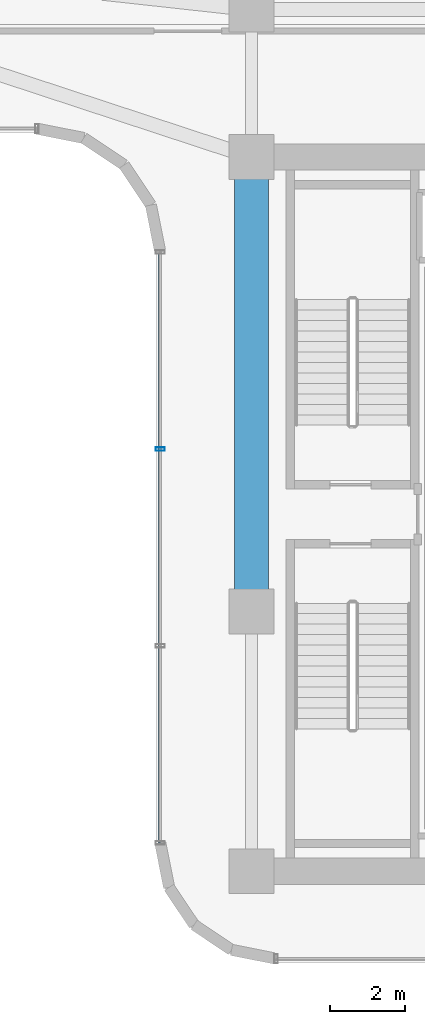
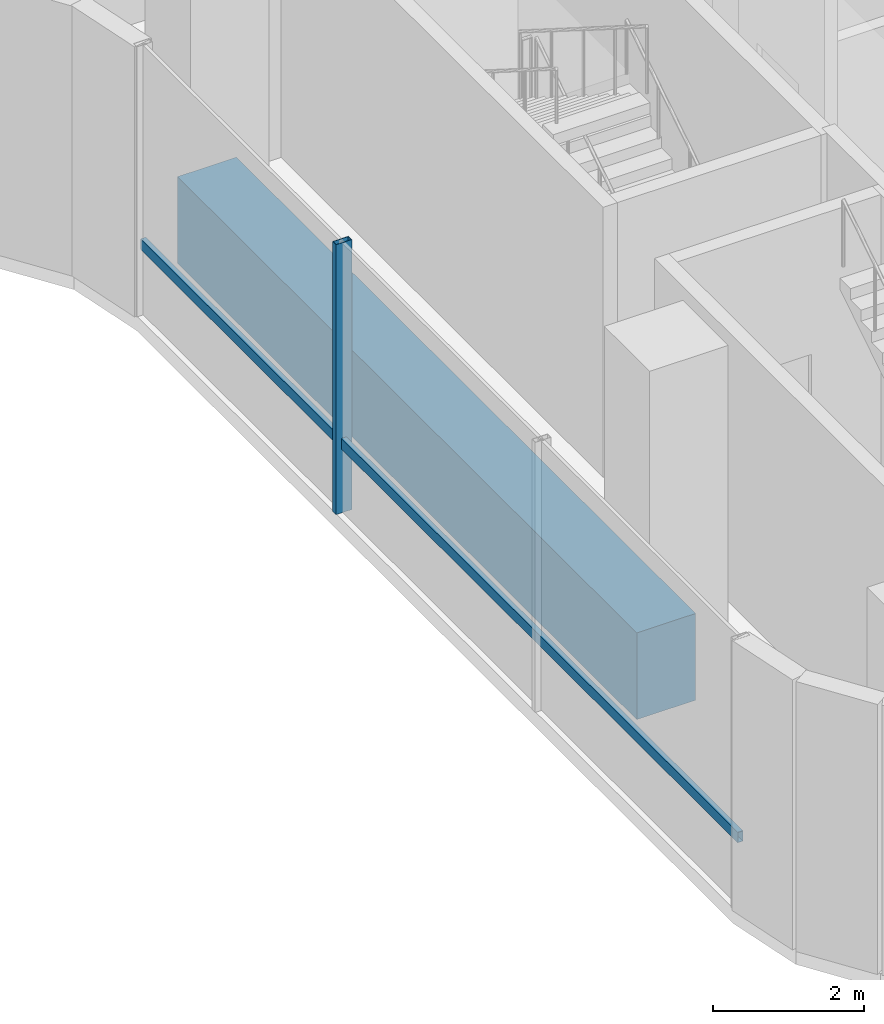
# One storey, part 12 of 32: 2 members, 1 beam, 1 element without a shape of its own.
"""IFC4 building model written with IfcOpenShell, lengths in metres."""

import ifcopenshell
import ifcopenshell.guid

model = None  # the IFC model being written
_history = None  # IfcOwnerHistory: only IFC2X3 demands one
_inside = {}  # id of a spatial element -> (the spatial element, [elements in it])
_under = {}  # id of a project, library or spatial element -> (it, [spatial elements below it])
_declared = {}  # id of a project -> (the project, [libraries it declares])
_typed = {}  # id of a type object -> (the type object, [elements of that type])
_made_of = {}  # id of a material, layer set ... -> (it, [elements and type objects made of it])


def new_model(schema):
    """Start an empty IFC model of exactly this schema.

    Asked for "IFC4X3", IfcOpenShell would pick the latest addendum, in which some entities
    have other attributes; the version numbers below select the first issue.
    IFC2X3 requires an IfcOwnerHistory on every rooted entity: one is made here for all.
    """
    global model, _history
    if schema == "IFC4X3":
        model = ifcopenshell.file(schema_version=(4, 3, 0, 0))
    else:
        model = ifcopenshell.file(schema=schema)
    _inside.clear()
    _under.clear()
    _declared.clear()
    _typed.clear()
    _made_of.clear()
    _history = None
    if model.schema == "IFC2X3":
        org = make("IfcOrganization", Name="unknown")
        user = make(
            "IfcPersonAndOrganization",
            ThePerson=make("IfcPerson", FamilyName="unknown"),
            TheOrganization=org,
        )
        app = make(
            "IfcApplication",
            ApplicationDeveloper=org,
            Version="unknown",
            ApplicationFullName="unknown",
            ApplicationIdentifier="unknown",
        )
        _history = make(
            "IfcOwnerHistory",
            OwningUser=user,
            OwningApplication=app,
            ChangeAction="ADDED",
            CreationDate=0,
        )
    return model


def make(cls, **values):
    """One entity of the class cls with the attributes given. An attribute that is None is left unset."""
    return model.create_entity(
        cls, **{name: value for name, value in values.items() if value is not None}
    )


def rooted(cls, **values):
    """An entity with a GlobalId (a new one), such as an element, a storey or a relation."""
    return make(cls, GlobalId=ifcopenshell.guid.new(), OwnerHistory=_history, **values)


def si_unit(unit_type, name, prefix=None):
    """IfcSIUnit, for example si_unit("LENGTHUNIT", "METRE", prefix="MILLI")."""
    return make("IfcSIUnit", UnitType=unit_type, Prefix=prefix, Name=name)


def assignment(units):
    """IfcUnitAssignment: the units of a project."""
    return None if units is None else make("IfcUnitAssignment", Units=units)


def point(xyz):
    """IfcCartesianPoint."""
    return None if xyz is None else make("IfcCartesianPoint", Coordinates=xyz)


def direction(xyz):
    """IfcDirection."""
    return None if xyz is None else make("IfcDirection", DirectionRatios=xyz)


def frame(location, z_axis=None, x_axis=None):
    """IfcAxis2Placement3D, a coordinate frame: its origin and axes. An axis left out is left unset."""
    return make(
        "IfcAxis2Placement3D",
        Location=point(location),
        Axis=direction(z_axis),
        RefDirection=direction(x_axis),
    )


def frame_2d(location, x_axis=None):
    """IfcAxis2Placement2D, a coordinate frame in the plane: its origin and x axis."""
    return make(
        "IfcAxis2Placement2D", Location=point(location), RefDirection=direction(x_axis)
    )


def origin():
    """The frame at (0, 0, 0) with its axes left unset."""
    return frame((0.0, 0.0, 0.0))


def origin_2d():
    """The frame at (0, 0) in the plane with its x axis left unset."""
    return frame_2d((0.0, 0.0))


def place(relative_to, where):
    """IfcLocalPlacement: puts the frame where relative to a parent placement (None: the world)."""
    return make(
        "IfcLocalPlacement", PlacementRelTo=relative_to, RelativePlacement=where
    )


def context(
    kind, dimensions, precision=None, world=None, true_north=None, identifier=None
):
    """IfcGeometricRepresentationContext, for example the 3D "Model" context."""
    return make(
        "IfcGeometricRepresentationContext",
        ContextIdentifier=identifier,
        ContextType=kind,
        CoordinateSpaceDimension=dimensions,
        Precision=precision,
        WorldCoordinateSystem=world,
        TrueNorth=true_north,
    )


def subcontext(parent, identifier, kind, view, scale=None):
    """IfcGeometricRepresentationSubContext, for example "Body" below "Model"."""
    return make(
        "IfcGeometricRepresentationSubContext",
        ContextIdentifier=identifier,
        ContextType=kind,
        ParentContext=parent,
        TargetScale=scale,
        TargetView=view,
    )


def project(units=None, contexts=None):
    """IfcProject with its units and contexts."""
    return rooted(
        "IfcProject",
        Name="project",
        RepresentationContexts=contexts,
        UnitsInContext=assignment(units),
    )


def spatial(cls, under=None, at=None, **own):
    """A site, building, storey or space (cls), placed at a placement, below another one or the project."""
    s = rooted(cls, ObjectPlacement=at, **own)
    if under is not None:
        _under.setdefault(under.id(), (under, []))[1].append(s)
    return s


def profile(cls, at=None, kind="AREA", **sizes):
    """A parametric profile (cls). Its sizes go by their IFC names, for example OverallWidth=200.0."""
    return make(cls, ProfileType=kind, Position=at, **sizes)


def rectangle(**sizes):
    """IfcRectangleProfileDef."""
    return profile("IfcRectangleProfileDef", **sizes)


def hollow_rectangle(**sizes):
    """IfcRectangleHollowProfileDef."""
    return profile("IfcRectangleHollowProfileDef", **sizes)


def extrude(swept, where, along, depth):
    """IfcExtrudedAreaSolid: the profile swept, set in the frame where, extruded along a direction by depth."""
    return make(
        "IfcExtrudedAreaSolid",
        SweptArea=swept,
        Position=where,
        ExtrudedDirection=direction(along),
        Depth=depth,
    )


def shape(context_of_items, identifier, shape_type, items):
    """IfcShapeRepresentation: the items that make up one representation, for example the "Body"."""
    return make(
        "IfcShapeRepresentation",
        ContextOfItems=context_of_items,
        RepresentationIdentifier=identifier,
        RepresentationType=shape_type,
        Items=items,
    )


def source(mapping_origin, context_of_items, identifier, shape_type, items):
    """IfcRepresentationMap: a shape defined once, which mapped items show again and again."""
    return make(
        "IfcRepresentationMap",
        MappingOrigin=mapping_origin,
        MappedRepresentation=shape(context_of_items, identifier, shape_type, items),
    )


def transform(
    local_origin,
    x_axis=None,
    y_axis=None,
    z_axis=None,
    scale=None,
    scale2=None,
    scale3=None,
    uniform=True,
):
    """IfcCartesianTransformationOperator3D, or its non-uniform kind. x_axis, y_axis, z_axis: its Axis1, 2, 3."""
    if uniform:
        return make(
            "IfcCartesianTransformationOperator3D",
            Axis1=direction(x_axis),
            Axis2=direction(y_axis),
            LocalOrigin=point(local_origin),
            Scale=scale,
            Axis3=direction(z_axis),
        )
    return make(
        "IfcCartesianTransformationOperator3DnonUniform",
        Axis1=direction(x_axis),
        Axis2=direction(y_axis),
        LocalOrigin=point(local_origin),
        Scale=scale,
        Axis3=direction(z_axis),
        Scale2=scale2,
        Scale3=scale3,
    )


def mapped(mapping_source, mapping_target):
    """IfcMappedItem: shows the shape of a source again, moved by a transform."""
    return make(
        "IfcMappedItem", MappingSource=mapping_source, MappingTarget=mapping_target
    )


def material(Name=None, Category=None):
    """IfcMaterial."""
    return make("IfcMaterial", Name=Name, Category=Category)


def material_profile(
    of_material, cross_section, Name=None, Category=None, Priority=None
):
    """IfcMaterialProfile: a cross section and its material."""
    return make(
        "IfcMaterialProfile",
        Name=Name,
        Material=of_material,
        Profile=cross_section,
        Priority=Priority,
        Category=Category,
    )


def profile_set(profiles, Name=None, composite=None):
    """IfcMaterialProfileSet."""
    return make(
        "IfcMaterialProfileSet",
        Name=Name,
        MaterialProfiles=profiles,
        CompositeProfile=composite,
    )


def made_of(thing, what):
    """Note that an element or type object is made of a material, layer set ...; save() writes the relation."""
    if what is not None:
        _made_of.setdefault(what.id(), (what, []))[1].append(thing)
    return thing


def type_object(cls, material=None, **own):
    """A type object (cls), such as IfcWallType, which elements share."""
    return made_of(rooted(cls, **own), material)


def element(
    cls,
    number,
    at=None,
    inside=None,
    cuts=None,
    type_object=None,
    material=None,
    context=None,
    identifier="Body",
    shape_type=None,
    held_by="IfcProductDefinitionShape",
    body=None,
    shapes=None,
    **own,
):
    """One element of the class cls, such as IfcWall. Its Tag is "e" and its number.

    at: its placement. inside: the storey or other place that contains it. cuts: it is an
    opening in that element (IfcRelVoidsElement). A single representation is given by context,
    identifier, shape_type and body (its items); several are given by shapes. held_by: the class
    of the entity that holds the representations. save() writes the other relations.
    """
    e = rooted(cls, Tag="e%d" % number, ObjectPlacement=at, **own)
    if body is not None:
        shapes = [shape(context, identifier, shape_type, body)]
    if shapes is not None:
        e.Representation = make(held_by, Representations=shapes)
    if inside is not None:
        _inside.setdefault(inside.id(), (inside, []))[1].append(e)
    if cuts is not None:
        rooted(
            "IfcRelVoidsElement", RelatingBuildingElement=cuts, RelatedOpeningElement=e
        )
    if type_object is not None:
        _typed.setdefault(type_object.id(), (type_object, []))[1].append(e)
    return made_of(e, material)


def aggregate(whole, parts):
    """IfcRelAggregates: a whole, such as a stair, and the parts it consists of."""
    return rooted("IfcRelAggregates", RelatingObject=whole, RelatedObjects=parts)


def save(model, path):
    """Write the relations noted so far, then the file.

    IfcRelAggregates (storeys below a building ...), IfcRelContainedInSpatialStructure (elements
    in a storey), IfcRelDefinesByType, IfcRelAssociatesMaterial and IfcRelDeclares: one each for
    every whole, place, type object, material and project.
    """
    for whole, parts in _under.values():
        aggregate(whole, parts)
    for where, things in _inside.values():
        rooted(
            "IfcRelContainedInSpatialStructure",
            RelatedElements=things,
            RelatingStructure=where,
        )
    for kind, things in _typed.values():
        rooted("IfcRelDefinesByType", RelatedObjects=things, RelatingType=kind)
    for what, things in _made_of.values():
        rooted("IfcRelAssociatesMaterial", RelatedObjects=things, RelatingMaterial=what)
    for by, libraries in _declared.values():
        rooted("IfcRelDeclares", RelatingContext=by, RelatedDefinitions=libraries)
    model.write(path)


model = new_model("IFC4")

# Units and contexts
model_context = context("Model", 3, precision=1e-05, world=origin(), true_north=direction((0.0, 1.0)))
body_context = subcontext(model_context, "Body", "Model", "MODEL_VIEW")
ifc_project = project(units=[si_unit("LENGTHUNIT", "METRE"), si_unit("AREAUNIT", "SQUARE_METRE"), si_unit("VOLUMEUNIT", "CUBIC_METRE"), si_unit("PLANEANGLEUNIT", "RADIAN"), si_unit("MASSUNIT", "GRAM", prefix="KILO")], contexts=[model_context])

# Site, building, storey
site_placement = place(None, origin())
site = spatial("IfcSite", under=ifc_project, at=site_placement, CompositionType="ELEMENT")
building_placement = place(site_placement, origin())
building = spatial("IfcBuilding", under=site, at=building_placement, Name="Valdorenza Pilgrim Sanctuary Tower", CompositionType="ELEMENT")
storey_placement = place(building_placement, frame((0.0, 0.0, 101.10009765625)))
storey = spatial("IfcBuildingStorey", under=building, at=storey_placement, Name="L25", CompositionType="ELEMENT", Elevation=101.10009765625)

# Beam
ifc_material_1 = material(Name="Concrete C60/75", Category="concrete")
ifc_material_profile_1 = material_profile(ifc_material_1, rectangle(XDim=0.89990234375, YDim=1.39990234375, at=origin_2d()), Name="RC 1400x900")
ifc_profile_set_1 = profile_set([ifc_material_profile_1], Name="Concrete C60/75")
beam_type = type_object("IfcBeamType", Name="STR-BM-LNT-1400", PredefinedType="LINTEL", material=ifc_profile_set_1)
shared_shape_1 = source(origin(), body_context, "Body", "SweptSolid", [
    extrude(rectangle(XDim=0.89990234375, YDim=1.39990234375, at=origin_2d()), origin(), (0.0, 0.0, 1.0), 12.150146484375),
])
beam_placement = place(storey_placement, frame((15.85009765625, -2.60009765625, -0.739990234375), z_axis=(0.0, 1.0, 0.0), x_axis=(-1.0, 0.0, 0.0)))
element("IfcBeam", 1, at=beam_placement, inside=storey, type_object=beam_type, Name="L25 Core B West Coupling Lintel Girder", PredefinedType="LINTEL", context=body_context, shape_type="MappedRepresentation", body=[
    mapped(shared_shape_1, transform((0.0, 0.0, 0.0), x_axis=(1.0, 0.0, 0.0), y_axis=(0.0, 1.0, 0.0), z_axis=(0.0, 0.0, 1.0), scale=1.0)),
])

# Curtain wall, members
ifc_material_2 = material(Name="Curtain-wall IGU glazing", Category="glass")
curtain_wall_type = type_object("IfcCurtainWallType", Name="CW-SYS-04", PredefinedType="NOTDEFINED", material=ifc_material_2)
curtain_wall_placement = place(storey_placement, origin())
curtain_wall = element("IfcCurtainWall", 2, at=curtain_wall_placement, inside=storey, type_object=curtain_wall_type, Name="L25 Curtain Wall CW-L25-1-31", PredefinedType="NOTDEFINED")
ifc_material_3 = material(Name="Anodised aluminium AW-6060", Category="aluminium")
ifc_material_profile_2 = material_profile(ifc_material_3, hollow_rectangle(XDim=0.090087890625, YDim=0.239990234375, WallThickness=0.0048828125, at=origin_2d()), Name="ALU-M 240x90x5")
ifc_profile_set_2 = profile_set([ifc_material_profile_2], Name="Anodised aluminium AW-6060")
member_type_1 = type_object("IfcMemberType", Name="CW-MUL-04", PredefinedType="MULLION", material=ifc_profile_set_2)
shared_shape_2 = source(origin(), body_context, "Body", "SweptSolid", [
    extrude(hollow_rectangle(XDim=0.090087890625, YDim=0.239990234375, WallThickness=0.0048828125, at=origin_2d()), origin(), (0.0, 0.0, 1.0), 4.35986328125),
])
member_1_placement = place(storey_placement, frame((13.409912109375, 1.744140625, 0.0), z_axis=(0.0, 0.0, 1.0), x_axis=(0.0, 1.0, 0.0)))
member_1 = element("IfcMember", 3, at=member_1_placement, type_object=member_type_1, Name="CW-L25-1-31 Mullion 3", PredefinedType="MULLION", context=body_context, shape_type="MappedRepresentation", body=[
    mapped(shared_shape_2, transform((0.0, 0.0, 0.0), x_axis=(1.0, 0.0, 0.0), y_axis=(0.0, 1.0, 0.0), z_axis=(0.0, 0.0, 1.0), scale=1.0)),
])
ifc_material_profile_3 = material_profile(ifc_material_3, hollow_rectangle(XDim=0.080078125, YDim=0.169921875, WallThickness=0.00390625, at=origin_2d()), Name="ALU-T 170x80x4")
ifc_profile_set_3 = profile_set([ifc_material_profile_3], Name="Anodised aluminium AW-6060")
member_type_2 = type_object("IfcMemberType", Name="CW-TRN-04", PredefinedType="USERDEFINED", material=ifc_profile_set_3)
shared_shape_3 = source(origin(), body_context, "Body", "SweptSolid", [
    extrude(hollow_rectangle(XDim=0.080078125, YDim=0.169921875, WallThickness=0.00390625, at=origin_2d()), origin(), (0.0, 0.0, 1.0), 15.800048828125),
])
member_2_placement = place(storey_placement, frame((13.409912109375, -8.789306640625, 1.119873046875), z_axis=(0.0, 1.0, 0.0), x_axis=(-1.0, 0.0, 0.0)))
member_2 = element("IfcMember", 4, at=member_2_placement, type_object=member_type_2, Name="CW-L25-1-31 Transom 1", ObjectType="TRANSOM", PredefinedType="USERDEFINED", context=body_context, shape_type="MappedRepresentation", body=[
    mapped(shared_shape_3, transform((0.0, 0.0, 0.0), x_axis=(1.0, 0.0, 0.0), y_axis=(0.0, 1.0, 0.0), z_axis=(0.0, 0.0, 1.0), scale=1.0)),
])
aggregate(curtain_wall, [member_1, member_2])

save(model, "model.ifc")
